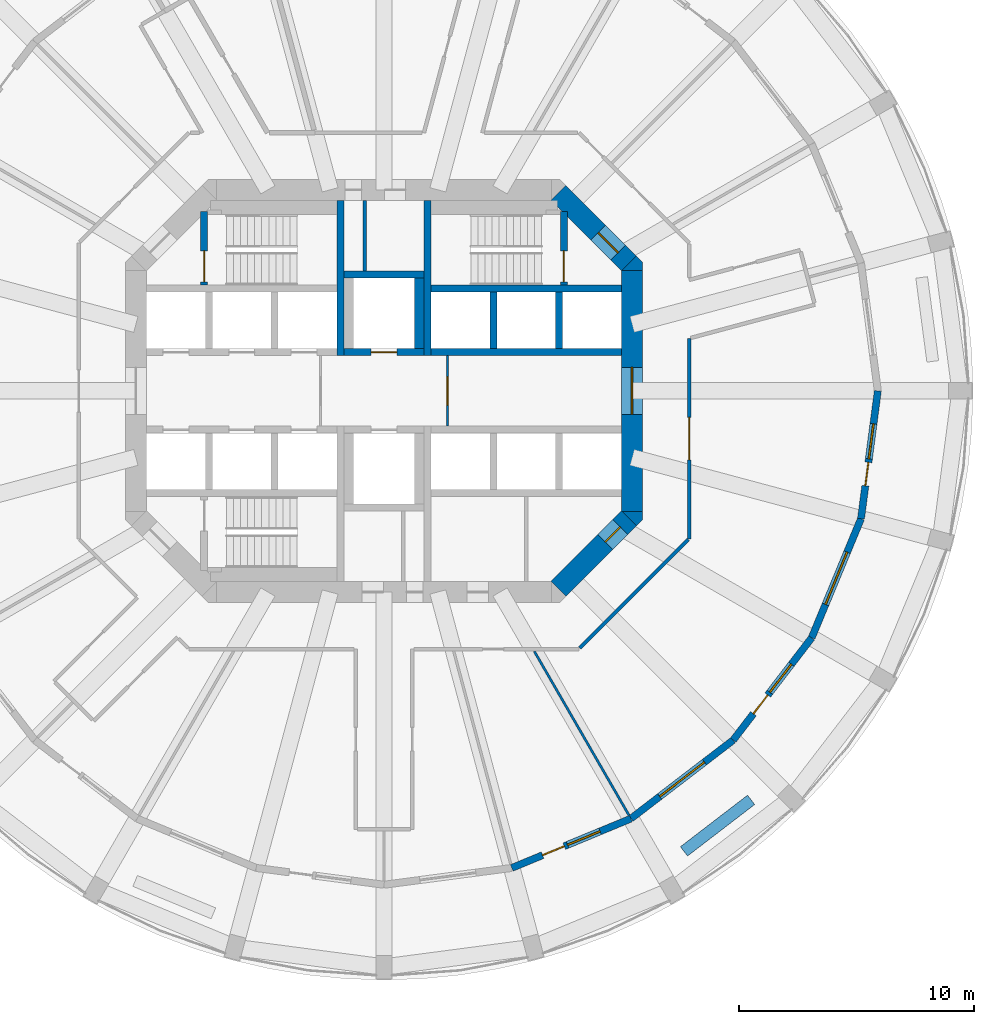
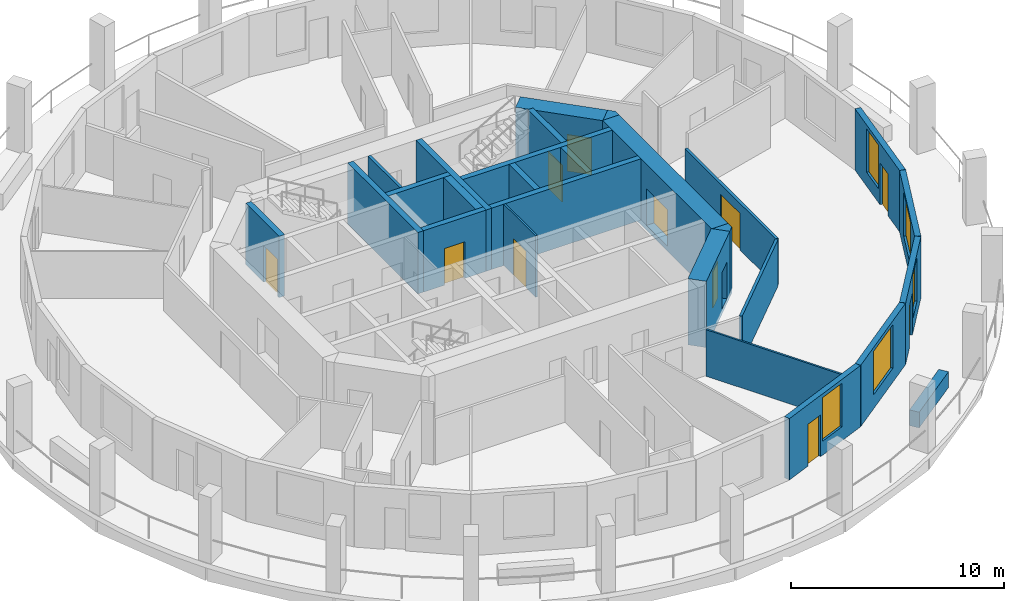
# One storey, part 4 of 8: 27 walls, 11 doors, 5 windows, 16 openings.
"""IFC4 building model written with IfcOpenShell, lengths in metres."""

from ifc_helpers import new_model, si_unit, direction, frame, frame_2d, origin, place, context, subcontext, project, spatial, polyline, rectangle, outline, extrude, material, layer, layer_set, type_object, element, fill, save


model = new_model("IFC4")

# Units and contexts
model_context = context("Model", 3, precision=1e-05, world=origin(), true_north=direction((0.0, 1.0)))
body_context = subcontext(model_context, "Body", "Model", "MODEL_VIEW")
ifc_project = project(units=[si_unit("LENGTHUNIT", "METRE"), si_unit("AREAUNIT", "SQUARE_METRE"), si_unit("VOLUMEUNIT", "CUBIC_METRE"), si_unit("PLANEANGLEUNIT", "RADIAN"), si_unit("MASSUNIT", "GRAM", prefix="KILO")], contexts=[model_context])

# Site, building, storey
site_placement = place(None, origin())
site = spatial("IfcSite", under=ifc_project, at=site_placement, CompositionType="ELEMENT")
building_placement = place(site_placement, origin())
building = spatial("IfcBuilding", under=site, at=building_placement, Name="Torre Triforio", CompositionType="ELEMENT")
storey_placement = place(building_placement, frame((0.0, 0.0, 135.199951171875)))
storey = spatial("IfcBuildingStorey", under=building, at=storey_placement, Name="L30", CompositionType="ELEMENT", Elevation=135.199951171875)

# Walls
ifc_material_1 = material(Name="Concrete C60", Category="concrete")
ifc_layer_1 = layer(ifc_material_1, 0.300048828125)
ifc_layer_set_1 = layer_set([ifc_layer_1], Name="Concrete C60")
wall_type_1 = type_object("IfcWallType", Name="Core wall 300 mm C60 EI 120", PredefinedType="SHEAR", material=ifc_layer_set_1)
for number, where, z_axis, x_axis, name in (
    (1, (-1.85009765625, 1.5, 0.0), (0.0, 0.0, 1.0), (0.0, 1.0, 0.0), "Core wall"),
    (2, (1.85009765625, 1.5, 0.0), (0.0, 0.0, 1.0), (0.0, 1.0, 0.0), "Core wall"),
):
    element("IfcWall", number, at=place(storey_placement, frame(where, z_axis=z_axis, x_axis=x_axis)), inside=storey, type_object=wall_type_1, Name=name, PredefinedType="SHEAR", context=body_context, shape_type="SweptSolid", body=[
        extrude(rectangle(XDim=6.60009765625, YDim=0.300048828125, at=frame_2d((3.300048828125, 0.0))), origin(), (0.0, 0.0, 1.0), 3.52001953125),
    ])

# Wall, opening, door
ifc_layer_2 = layer(ifc_material_1, 0.89990234375)
ifc_layer_set_2 = layer_set([ifc_layer_2], Name="Concrete C60")
wall_type_2 = type_object("IfcWallType", Name="Core wall 900 mm C60 EI 120", PredefinedType="SHEAR", material=ifc_layer_set_2)
wall_1_placement = place(storey_placement, frame((10.550048828125, -5.1298828125, -0.280029296875), z_axis=(0.0, 0.0, 1.0), x_axis=(0.0, 1.0, 0.0)))
wall_1 = element("IfcWall", 3, at=wall_1_placement, inside=storey, type_object=wall_type_2, Name="Core wall", PredefinedType="SHEAR", context=body_context, shape_type="SweptSolid", body=[
    extrude(rectangle(XDim=10.259765625, YDim=0.89990234375, at=frame_2d((5.1298828125, 0.0))), origin(), (0.0, 0.0, 1.0), 3.800048828125),
])
opening_1_placement = place(wall_1_placement, frame((4.1298828125, 0.0, 0.280029296875)))
opening_1 = element("IfcOpeningElement", 4, at=opening_1_placement, cuts=wall_1, Name="Opening E-RING", PredefinedType="OPENING", context=body_context, shape_type="SweptSolid", body=[
    extrude(rectangle(XDim=2.0, YDim=2.10009765625, at=frame_2d((1.0, 1.050048828125))), frame((0.0, 0.4599609375, 0.0), z_axis=(0.0, -1.0, 0.0), x_axis=(1.0, 0.0, 0.0)), (0.0, 0.0, 1.0), 0.919921875),
])
ifc_material_2 = material(Name="Hollow metal fire door leaf")
door_type_1 = type_object("IfcDoorType", Name="Lobby door 2000 x 2100 EI 60", OperationType="DOUBLE_DOOR_SINGLE_SWING", PredefinedType="DOOR", material=ifc_material_2)
door_1_placement = place(opening_1_placement, origin())
door_1 = element("IfcDoor", 5, at=door_1_placement, inside=storey, type_object=door_type_1, Name="Core door E-RING", OperationType="DOUBLE_DOOR_SINGLE_SWING", OverallHeight=2.10009765625, OverallWidth=2.0, PredefinedType="DOOR", context=body_context, shape_type="SweptSolid", body=[
    extrude(rectangle(XDim=2.0, YDim=2.10009765625, at=frame_2d((1.0, 1.050048828125))), frame((0.0, 0.02490234375, 0.0), z_axis=(0.0, -1.0, 0.0), x_axis=(1.0, 0.0, 0.0)), (0.0, 0.0, 1.0), 0.050048828125),
])
fill(opening_1, door_1)

wall_2_placement = place(storey_placement, frame((7.418212890625, 8.418212890625, -0.280029296875), z_axis=(0.0, 0.0, 1.0), x_axis=(0.707106781187, -0.707106781187, 0.0)))
wall_2 = element("IfcWall", 6, at=wall_2_placement, inside=storey, type_object=wall_type_2, Name="Core wall", PredefinedType="SHEAR", context=body_context, shape_type="SweptSolid", body=[
    extrude(rectangle(XDim=4.24267578125, YDim=0.89990234375, at=frame_2d((2.121337890625, 0.0))), origin(), (0.0, 0.0, 1.0), 3.800048828125),
])
opening_2_placement = place(wall_2_placement, frame((2.392578125, 0.0, 0.280029296875)))
opening_2 = element("IfcOpeningElement", 7, at=opening_2_placement, cuts=wall_2, Name="Opening ST2-EXIT", PredefinedType="OPENING", context=body_context, shape_type="SweptSolid", body=[
    extrude(rectangle(XDim=1.199951171875, YDim=2.10009765625, at=frame_2d((0.60009765625, 1.050048828125))), frame((0.0, 0.4599609375, 0.0), z_axis=(0.0, -1.0, 0.0), x_axis=(1.0, 0.0, 0.0)), (0.0, 0.0, 1.0), 0.919921875),
])
door_type_2 = type_object("IfcDoorType", Name="Stair lobby door 1200 x 2100 EI 60", OperationType="NOTDEFINED", PredefinedType="DOOR", material=ifc_material_2)
door_2_placement = place(opening_2_placement, origin())
door_2 = element("IfcDoor", 8, at=door_2_placement, inside=storey, type_object=door_type_2, Name="Core door ST2-EXIT", OperationType="SINGLE_SWING_RIGHT", OverallHeight=2.10009765625, OverallWidth=1.199951171875, PredefinedType="DOOR", context=body_context, shape_type="SweptSolid", body=[
    extrude(rectangle(XDim=1.199951171875, YDim=2.10009765625, at=frame_2d((0.60009765625, 1.050048828125))), frame((0.0, 0.02490234375, 0.0), z_axis=(0.0, -1.0, 0.0), x_axis=(1.0, 0.0, 0.0)), (0.0, 0.0, 1.0), 0.050048828125),
])
fill(opening_2, door_2)

wall_3_placement = place(storey_placement, frame((10.418212890625, -5.418212890625, -0.280029296875), z_axis=(0.0, 0.0, 1.0), x_axis=(-0.707106781187, -0.707106781187, 0.0)))
wall_3 = element("IfcWall", 9, at=wall_3_placement, inside=storey, type_object=wall_type_2, Name="Core wall", PredefinedType="SHEAR", context=body_context, shape_type="SweptSolid", body=[
    extrude(rectangle(XDim=4.24267578125, YDim=0.89990234375, at=frame_2d((2.121337890625, 0.0))), origin(), (0.0, 0.0, 1.0), 3.800048828125),
])
opening_3_placement = place(wall_3_placement, frame((0.52001953125, 0.0, 0.280029296875)))
opening_3 = element("IfcOpeningElement", 10, at=opening_3_placement, cuts=wall_3, Name="Opening SE-02", PredefinedType="OPENING", context=body_context, shape_type="SweptSolid", body=[
    extrude(rectangle(XDim=0.89990234375, YDim=2.10009765625, at=frame_2d((0.449951171875, 1.050048828125))), frame((0.0, 0.4599609375, 0.0), z_axis=(0.0, -1.0, 0.0), x_axis=(1.0, 0.0, 0.0)), (0.0, 0.0, 1.0), 0.919921875),
])
door_type_3 = type_object("IfcDoorType", Name="Room door 900 x 2100 EI 60", OperationType="NOTDEFINED", PredefinedType="DOOR", material=ifc_material_2)
door_3_placement = place(opening_3_placement, origin())
door_3 = element("IfcDoor", 11, at=door_3_placement, inside=storey, type_object=door_type_3, Name="Core door SE-02", OperationType="SINGLE_SWING_RIGHT", OverallHeight=2.10009765625, OverallWidth=0.89990234375, PredefinedType="DOOR", context=body_context, shape_type="SweptSolid", body=[
    extrude(rectangle(XDim=0.89990234375, YDim=2.10009765625, at=frame_2d((0.449951171875, 1.050048828125))), frame((0.0, 0.02490234375, 0.0), z_axis=(0.0, -1.0, 0.0), x_axis=(1.0, 0.0, 0.0)), (0.0, 0.0, 1.0), 0.050048828125),
])
fill(opening_3, door_3)

# Walls
wall_4_placement = place(storey_placement, frame((0.0, 0.0, -0.280029296875)))
element("IfcWall", 12, at=wall_4_placement, inside=storey, type_object=wall_type_2, Name="Core wall", PredefinedType="SHEAR", context=body_context, shape_type="SweptSolid", body=[
    extrude(outline(polyline([(11.0, -5.472900390625), (10.736328125, -5.736328125), (10.1298828125, -5.1298828125), (11.0, -5.1298828125), (11.0, -5.472900390625)])), origin(), (0.0, 0.0, 1.0), 3.800048828125),
])
wall_5_placement = place(storey_placement, frame((0.0, 0.0, -0.280029296875)))
element("IfcWall", 13, at=wall_5_placement, inside=storey, type_object=wall_type_2, Name="Core wall", PredefinedType="SHEAR", context=body_context, shape_type="SweptSolid", body=[
    extrude(outline(polyline([(11.0, 5.472900390625), (11.0, 5.1298828125), (10.1298828125, 5.1298828125), (10.736328125, 5.736328125), (11.0, 5.472900390625)])), origin(), (0.0, 0.0, 1.0), 3.800048828125),
])

# Wall, opening, door
ifc_material_3 = material(Name="Plasterboard on metal studs")
ifc_layer_3 = layer(ifc_material_3, 0.14990234375)
ifc_layer_set_3 = layer_set([ifc_layer_3], Name="Plasterboard on metal studs")
wall_type_3 = type_object("IfcWallType", Name="Corridor and tenancy wall 150 mm EI 60", PredefinedType="PARTITIONING", material=ifc_layer_set_3)
wall_6_placement = place(storey_placement, frame((12.97509765625, 2.234375, 0.0), z_axis=(0.0, 0.0, 1.0), x_axis=(0.0, -1.0, 0.0)))
wall_6 = element("IfcWall", 14, at=wall_6_placement, inside=storey, type_object=wall_type_3, Name="Partition 22", PredefinedType="PARTITIONING", context=body_context, shape_type="SweptSolid", body=[
    extrude(rectangle(XDim=8.525390625, YDim=0.14990234375, at=frame_2d((4.2626953125, 0.0))), origin(), (0.0, 0.0, 1.0), 2.670166015625),
])
opening_4_placement = place(wall_6_placement, frame((3.362548828125, 0.0, 0.0)))
opening_4 = element("IfcOpeningElement", 15, at=opening_4_placement, cuts=wall_6, Name="Opening D2-07", PredefinedType="OPENING", context=body_context, shape_type="SweptSolid", body=[
    extrude(rectangle(XDim=1.800048828125, YDim=2.10009765625, at=frame_2d((0.89990234375, 1.050048828125))), frame((0.0, 0.0849609375, 0.0), z_axis=(0.0, -1.0, 0.0), x_axis=(1.0, 0.0, 0.0)), (0.0, 0.0, 1.0), 0.169921875),
])
ifc_material_4 = material(Name="Timber", Category="wood")
door_type_4 = type_object("IfcDoorType", Name="Door 1800 x 2100 double leaf EI 30", OperationType="DOUBLE_DOOR_SINGLE_SWING", PredefinedType="DOOR", material=ifc_material_4)
door_4_placement = place(opening_4_placement, origin())
door_4 = element("IfcDoor", 16, at=door_4_placement, inside=storey, type_object=door_type_4, Name="Door D2-07", OperationType="DOUBLE_DOOR_SINGLE_SWING", OverallHeight=2.10009765625, OverallWidth=1.800048828125, PredefinedType="DOOR", context=body_context, shape_type="SweptSolid", body=[
    extrude(rectangle(XDim=1.800048828125, YDim=2.10009765625, at=frame_2d((0.89990234375, 1.050048828125))), frame((0.0, 0.02490234375, 0.0), z_axis=(0.0, -1.0, 0.0), x_axis=(1.0, 0.0, 0.0)), (0.0, 0.0, 1.0), 0.050048828125),
])
fill(opening_4, door_4)

# Wall
wall_7_placement = place(storey_placement, frame((12.93798828125, -6.327880859375, 0.0), z_axis=(0.0, 0.0, 1.0), x_axis=(-0.707106781187, -0.707106781187, 0.0)))
element("IfcWall", 17, at=wall_7_placement, inside=storey, type_object=wall_type_3, Name="Partition 23", PredefinedType="PARTITIONING", context=body_context, shape_type="SweptSolid", body=[
    extrude(rectangle(XDim=6.519775390625, YDim=0.14990234375, at=frame_2d((3.259765625, 0.0))), origin(), (0.0, 0.0, 1.0), 2.670166015625),
])

# Wall, opening, door
ifc_material_5 = material(Name="Block and board partition")
ifc_layer_4 = layer(ifc_material_5, 0.10009765625)
ifc_layer_set_4 = layer_set([ifc_layer_4], Name="Block and board partition")
wall_type_4 = type_object("IfcWallType", Name="Partition 100 mm EI 120", PredefinedType="PARTITIONING", material=ifc_layer_set_4)
wall_8_placement = place(storey_placement, frame((2.699951171875, -1.5, 0.0), z_axis=(0.0, 0.0, 1.0), x_axis=(0.0, 1.0, 0.0)))
wall_8 = element("IfcWall", 18, at=wall_8_placement, inside=storey, type_object=wall_type_4, Name="Partition", PredefinedType="PARTITIONING", context=body_context, shape_type="SweptSolid", body=[
    extrude(rectangle(XDim=3.0, YDim=0.10009765625, at=frame_2d((1.5, 0.0))), origin(), (0.0, 0.0, 1.0), 3.52001953125),
])
opening_5_placement = place(wall_8_placement, frame((0.89990234375, 0.0, 0.0)))
opening_5 = element("IfcOpeningElement", 19, at=opening_5_placement, cuts=wall_8, Name="Opening FF-E", PredefinedType="OPENING", context=body_context, shape_type="SweptSolid", body=[
    extrude(rectangle(XDim=1.199951171875, YDim=2.10009765625, at=frame_2d((0.60009765625, 1.050048828125))), frame((0.0, 0.06005859375, 0.0), z_axis=(0.0, -1.0, 0.0), x_axis=(1.0, 0.0, 0.0)), (0.0, 0.0, 1.0), 0.1201171875),
])
door_type_5 = type_object("IfcDoorType", Name="Fire-fighting lobby door 1200 x 2100 EI 60", OperationType="NOTDEFINED", PredefinedType="DOOR", material=ifc_material_2)
door_5_placement = place(opening_5_placement, origin())
door_5 = element("IfcDoor", 20, at=door_5_placement, inside=storey, type_object=door_type_5, Name="Core door FF-E", OperationType="SINGLE_SWING_RIGHT", OverallHeight=2.10009765625, OverallWidth=1.199951171875, PredefinedType="DOOR", context=body_context, shape_type="SweptSolid", body=[
    extrude(rectangle(XDim=1.199951171875, YDim=2.10009765625, at=frame_2d((0.60009765625, 1.050048828125))), frame((0.0, 0.02490234375, 0.0), z_axis=(0.0, -1.0, 0.0), x_axis=(1.0, 0.0, 0.0)), (0.0, 0.0, 1.0), 0.050048828125),
])
fill(opening_5, door_5)

# Walls
ifc_layer_5 = layer(ifc_material_3, 0.10009765625)
ifc_layer_set_5 = layer_set([ifc_layer_5], Name="Plasterboard on metal studs")
wall_type_5 = type_object("IfcWallType", Name="Partition 100 mm board on metal studs", PredefinedType="PARTITIONING", material=ifc_layer_set_5)
wall_9_placement = place(storey_placement, frame((6.393798828125, -11.07470703125, 0.0), z_axis=(0.0, 0.0, 1.0), x_axis=(0.500024397361, -0.866011317503, 0.0)))
element("IfcWall", 21, at=wall_9_placement, inside=storey, type_object=wall_type_5, Name="Partition 45", PredefinedType="PARTITIONING", context=body_context, shape_type="SweptSolid", body=[
    extrude(rectangle(XDim=8.048828125, YDim=0.10009765625, at=frame_2d((4.0244140625, 0.0))), origin(), (0.0, 0.0, 1.0), 2.670166015625),
])
ifc_layer_6 = layer(ifc_material_5, 0.14990234375)
ifc_layer_set_6 = layer_set([ifc_layer_6], Name="Block and board partition")
wall_type_6 = type_object("IfcWallType", Name="Partition 150 mm EI 120", PredefinedType="PARTITIONING", material=ifc_layer_set_6)
wall_10_placement = place(storey_placement, frame((-0.824951171875, 5.10009765625, 0.0), z_axis=(0.0, 0.0, 1.0), x_axis=(0.0, 1.0, 0.0)))
element("IfcWall", 22, at=wall_10_placement, inside=storey, type_object=wall_type_6, Name="Partition", PredefinedType="PARTITIONING", context=body_context, shape_type="SweptSolid", body=[
    extrude(rectangle(XDim=3.0, YDim=0.14990234375, at=frame_2d((1.5, 0.0))), origin(), (0.0, 0.0, 1.0), 3.52001953125),
])
ifc_material_6 = material(Name="Limestone cladding", Category="masonry")
ifc_layer_7 = layer(ifc_material_6, 0.10009765625)
ifc_material_7 = material(Name="Concrete C40", Category="concrete")
ifc_layer_8 = layer(ifc_material_7, 0.39990234375)
ifc_layer_set_7 = layer_set([ifc_layer_7, ifc_layer_8], Name="Limestone cladding / Concrete C40")
wall_type_7 = type_object("IfcWallType", Name="Planter wall 500", PredefinedType="PARAPET", material=ifc_layer_set_7)
wall_11_placement = place(storey_placement, frame((12.756103515625, -19.580810546875, 0.0), z_axis=(0.0, 0.0, 1.0), x_axis=(0.793384730612, 0.608720518162, 0.0)))
element("IfcWall", 23, at=wall_11_placement, inside=storey, type_object=wall_type_7, Name="Planter L30 bay 21", PredefinedType="PARAPET", context=body_context, shape_type="SweptSolid", body=[
    extrude(rectangle(XDim=3.60009765625, YDim=0.5, at=frame_2d((1.800048828125, 0.0))), origin(), (0.0, 0.0, 1.0), 0.900146484375),
])
ifc_layer_9 = layer(ifc_material_1, 0.300048828125)
ifc_layer_set_8 = layer_set([ifc_layer_9], Name="Concrete C60")
wall_type_8 = type_object("IfcWallType", Name="Shaft wall 300 mm C60 EI 120", PredefinedType="SOLIDWALL", material=ifc_layer_set_8)
for number, where, z_axis, x_axis, name in (
    (24, (2.0, 4.35009765625, 0.0), (0.0, 0.0, 1.0), (1.0, 0.0, 0.0), "Shaft wall"),
    (25, (2.0, 1.64990234375, 0.0), (0.0, 0.0, 1.0), (1.0, 0.0, 0.0), "Shaft wall"),
):
    element("IfcWall", number, at=place(storey_placement, frame(where, z_axis=z_axis, x_axis=x_axis)), inside=storey, type_object=wall_type_8, Name=name, PredefinedType="SOLIDWALL", context=body_context, shape_type="SweptSolid", body=[
        extrude(rectangle(XDim=8.10009765625, YDim=0.300048828125, at=frame_2d((4.050048828125, 0.0))), origin(), (0.0, 0.0, 1.0), 3.52001953125),
    ])
for number, where, z_axis, x_axis, name in (
    (26, (4.64990234375, 1.800048828125, 0.0), (0.0, 0.0, 1.0), (0.0, 1.0, 0.0), "Shaft wall"),
    (27, (7.449951171875, 1.800048828125, 0.0), (0.0, 0.0, 1.0), (0.0, 1.0, 0.0), "Shaft wall"),
):
    element("IfcWall", number, at=place(storey_placement, frame(where, z_axis=z_axis, x_axis=x_axis)), inside=storey, type_object=wall_type_8, Name=name, PredefinedType="SOLIDWALL", context=body_context, shape_type="SweptSolid", body=[
        extrude(rectangle(XDim=2.39990234375, YDim=0.300048828125, at=frame_2d((1.199951171875, 0.0))), origin(), (0.0, 0.0, 1.0), 3.52001953125),
    ])

# Wall, opening, door
wall_12_placement = place(storey_placement, frame((-1.699951171875, 1.64990234375, 0.0), z_axis=(0.0, 0.0, 1.0), x_axis=(1.0, 0.0, 0.0)))
wall_12 = element("IfcWall", 28, at=wall_12_placement, inside=storey, type_object=wall_type_8, Name="Shaft wall", PredefinedType="SOLIDWALL", context=body_context, shape_type="SweptSolid", body=[
    extrude(rectangle(XDim=3.39990234375, YDim=0.300048828125, at=frame_2d((1.699951171875, 0.0))), origin(), (0.0, 0.0, 1.0), 3.52001953125),
])
opening_6_placement = place(wall_12_placement, frame((1.14990234375, 0.0, 0.0)))
opening_6 = element("IfcOpeningElement", 29, at=opening_6_placement, cuts=wall_12, Name="Opening LD", PredefinedType="OPENING", context=body_context, shape_type="SweptSolid", body=[
    extrude(rectangle(XDim=1.10009765625, YDim=2.10009765625, at=frame_2d((0.550048828125, 1.050048828125))), frame((0.0, 0.159912109375, 0.0), z_axis=(0.0, -1.0, 0.0), x_axis=(1.0, 0.0, 0.0)), (0.0, 0.0, 1.0), 0.320068359375),
])
door_type_6 = type_object("IfcDoorType", Name="Landing door 1100 x 2100 EI 60", OperationType="DOUBLE_DOOR_SLIDING", PredefinedType="DOOR", material=ifc_material_2)
door_6_placement = place(opening_6_placement, origin())
door_6 = element("IfcDoor", 30, at=door_6_placement, inside=storey, type_object=door_type_6, Name="Landing door FFL1", OperationType="DOUBLE_DOOR_SLIDING", OverallHeight=2.10009765625, OverallWidth=1.10009765625, PredefinedType="DOOR", context=body_context, shape_type="SweptSolid", body=[
    extrude(rectangle(XDim=1.10009765625, YDim=2.10009765625, at=frame_2d((0.550048828125, 1.050048828125))), frame((0.0, 0.02490234375, 0.0), z_axis=(0.0, -1.0, 0.0), x_axis=(1.0, 0.0, 0.0)), (0.0, 0.0, 1.0), 0.050048828125),
])
fill(opening_6, door_6)

# Walls
wall_13_placement = place(storey_placement, frame((-1.699951171875, 4.949951171875, 0.0), z_axis=(0.0, 0.0, 1.0), x_axis=(1.0, 0.0, 0.0)))
element("IfcWall", 31, at=wall_13_placement, inside=storey, type_object=wall_type_8, Name="Shaft wall", PredefinedType="SOLIDWALL", context=body_context, shape_type="SweptSolid", body=[
    extrude(rectangle(XDim=3.39990234375, YDim=0.300048828125, at=frame_2d((1.699951171875, 0.0))), origin(), (0.0, 0.0, 1.0), 3.52001953125),
])
ifc_layer_10 = layer(ifc_material_1, 0.39990234375)
ifc_layer_set_9 = layer_set([ifc_layer_10], Name="Concrete C60")
wall_type_9 = type_object("IfcWallType", Name="Shaft wall 400 mm C60 EI 120", PredefinedType="SOLIDWALL", material=ifc_layer_set_9)
wall_14_placement = place(storey_placement, frame((1.5, 1.800048828125, 0.0), z_axis=(0.0, 0.0, 1.0), x_axis=(0.0, 1.0, 0.0)))
element("IfcWall", 32, at=wall_14_placement, inside=storey, type_object=wall_type_9, Name="Shaft wall", PredefinedType="SOLIDWALL", context=body_context, shape_type="SweptSolid", body=[
    extrude(rectangle(XDim=3.0, YDim=0.39990234375, at=frame_2d((1.5, 0.0))), origin(), (0.0, 0.0, 1.0), 3.52001953125),
])

# Wall, opening, door
ifc_layer_11 = layer(ifc_material_1, 0.300048828125)
ifc_layer_set_10 = layer_set([ifc_layer_11], Name="Concrete C60")
wall_type_10 = type_object("IfcWallType", Name="Stair wall 300 mm C60 EI 120", PredefinedType="SHEAR", material=ifc_layer_set_10)
wall_15_placement = place(storey_placement, frame((-7.64990234375, 4.5, 0.0), z_axis=(0.0, 0.0, 1.0), x_axis=(0.0, 1.0, 0.0)))
wall_15 = element("IfcWall", 33, at=wall_15_placement, inside=storey, type_object=wall_type_10, Name="Stair wall", PredefinedType="SHEAR", context=body_context, shape_type="SweptSolid", body=[
    extrude(rectangle(XDim=3.139892578125, YDim=0.300048828125, at=frame_2d((1.56982421875, 0.0))), origin(), (0.0, 0.0, 1.0), 3.52001953125),
])
opening_7_placement = place(wall_15_placement, frame((0.139892578125, 0.0, 0.0)))
opening_7 = element("IfcOpeningElement", 34, at=opening_7_placement, cuts=wall_15, Name="Opening ST1-STA", PredefinedType="OPENING", context=body_context, shape_type="SweptSolid", body=[
    extrude(rectangle(XDim=1.320068359375, YDim=2.10009765625, at=frame_2d((0.66015625, 1.050048828125))), frame((0.0, 0.159912109375, 0.0), z_axis=(0.0, -1.0, 0.0), x_axis=(1.0, 0.0, 0.0)), (0.0, 0.0, 1.0), 0.320068359375),
])
door_type_7 = type_object("IfcDoorType", Name="Stair door 1320 x 2100 EI 90", OperationType="DOUBLE_DOOR_SINGLE_SWING", PredefinedType="DOOR", material=ifc_material_2)
door_7_placement = place(opening_7_placement, origin())
door_7 = element("IfcDoor", 35, at=door_7_placement, inside=storey, type_object=door_type_7, Name="Core door ST1-ST", OperationType="DOUBLE_DOOR_SINGLE_SWING", OverallHeight=2.10009765625, OverallWidth=1.320068359375, PredefinedType="DOOR", context=body_context, shape_type="SweptSolid", body=[
    extrude(rectangle(XDim=1.320068359375, YDim=2.10009765625, at=frame_2d((0.66015625, 1.050048828125))), frame((0.0, 0.02490234375, 0.0), z_axis=(0.0, -1.0, 0.0), x_axis=(1.0, 0.0, 0.0)), (0.0, 0.0, 1.0), 0.050048828125),
])
fill(opening_7, door_7)

wall_16_placement = place(storey_placement, frame((7.64990234375, 4.5, 0.0), z_axis=(0.0, 0.0, 1.0), x_axis=(0.0, 1.0, 0.0)))
wall_16 = element("IfcWall", 36, at=wall_16_placement, inside=storey, type_object=wall_type_10, Name="Stair wall", PredefinedType="SHEAR", context=body_context, shape_type="SweptSolid", body=[
    extrude(rectangle(XDim=3.139892578125, YDim=0.300048828125, at=frame_2d((1.56982421875, 0.0))), origin(), (0.0, 0.0, 1.0), 3.52001953125),
])
opening_8_placement = place(wall_16_placement, frame((0.139892578125, 0.0, 0.0)))
opening_8 = element("IfcOpeningElement", 37, at=opening_8_placement, cuts=wall_16, Name="Opening ST2-STA", PredefinedType="OPENING", context=body_context, shape_type="SweptSolid", body=[
    extrude(rectangle(XDim=1.320068359375, YDim=2.10009765625, at=frame_2d((0.66015625, 1.050048828125))), frame((0.0, 0.159912109375, 0.0), z_axis=(0.0, -1.0, 0.0), x_axis=(1.0, 0.0, 0.0)), (0.0, 0.0, 1.0), 0.320068359375),
])
door_8_placement = place(opening_8_placement, origin())
door_8 = element("IfcDoor", 38, at=door_8_placement, inside=storey, type_object=door_type_7, Name="Core door ST2-ST", OperationType="DOUBLE_DOOR_SINGLE_SWING", OverallHeight=2.10009765625, OverallWidth=1.320068359375, PredefinedType="DOOR", context=body_context, shape_type="SweptSolid", body=[
    extrude(rectangle(XDim=1.320068359375, YDim=2.10009765625, at=frame_2d((0.66015625, 1.050048828125))), frame((0.0, 0.02490234375, 0.0), z_axis=(0.0, -1.0, 0.0), x_axis=(1.0, 0.0, 0.0)), (0.0, 0.0, 1.0), 0.050048828125),
])
fill(opening_8, door_8)

# Wall, openings, door, window
ifc_layer_12 = layer(ifc_material_6, 0.10009765625)
ifc_layer_13 = layer(ifc_material_7, 0.199951171875)
ifc_layer_set_11 = layer_set([ifc_layer_12, ifc_layer_13], Name="Limestone cladding / Concrete C40")
wall_type_11 = type_object("IfcWallType", Name="Stone-faced composite wall 300", PredefinedType="STANDARD", material=ifc_layer_set_11)
wall_17_placement = place(storey_placement, frame((5.435302734375, -20.284423828125, 0.0), z_axis=(0.0, 0.0, 1.0), x_axis=(0.923877333662, 0.382688740813, 0.0)))
wall_17 = element("IfcWall", 39, at=wall_17_placement, inside=storey, type_object=wall_type_11, Name="External wall L30 bay 20", PredefinedType="STANDARD", context=body_context, shape_type="SweptSolid", body=[
    extrude(rectangle(XDim=5.48193359375, YDim=0.300048828125, at=frame_2d((2.740966796875, 0.0))), origin(), (0.0, 0.0, 1.0), 3.52001953125),
])
opening_9_placement = place(wall_17_placement, frame((1.416015625, 0.0, 0.0)))
opening_9 = element("IfcOpeningElement", 40, at=opening_9_placement, cuts=wall_17, Name="Opening D2-D20", PredefinedType="OPENING", context=body_context, shape_type="SweptSolid", body=[
    extrude(rectangle(XDim=1.0, YDim=2.39990234375, at=frame_2d((0.5, 1.199951171875))), frame((0.0, 0.159912109375, 0.0), z_axis=(0.0, -1.0, 0.0), x_axis=(1.0, 0.0, 0.0)), (0.0, 0.0, 1.0), 0.320068359375),
])
opening_10_placement = place(wall_17_placement, frame((2.566162109375, 0.0, 0.800048828125)))
opening_10 = element("IfcOpeningElement", 41, at=opening_10_placement, cuts=wall_17, Name="Opening D2-W20A", PredefinedType="OPENING", context=body_context, shape_type="SweptSolid", body=[
    extrude(rectangle(XDim=1.5, YDim=2.5, at=frame_2d((0.75, 1.25))), frame((0.0, 0.159912109375, 0.0), z_axis=(0.0, -1.0, 0.0), x_axis=(1.0, 0.0, 0.0)), (0.0, 0.0, 1.0), 0.320068359375),
])
ifc_material_8 = material(Name="Aluminium frame with clear double glazing", Category="aluminium")
door_type_8 = type_object("IfcDoorType", Name="Loggia door 1000 x 2400", OperationType="NOTDEFINED", PredefinedType="DOOR", material=ifc_material_8)
door_9_placement = place(opening_9_placement, origin())
door_9 = element("IfcDoor", 42, at=door_9_placement, inside=storey, type_object=door_type_8, Name="Loggia door L30 bay 20", OperationType="SINGLE_SWING_LEFT", OverallHeight=2.39990234375, OverallWidth=1.0, PredefinedType="DOOR", context=body_context, shape_type="SweptSolid", body=[
    extrude(rectangle(XDim=1.0, YDim=2.39990234375, at=frame_2d((0.5, 1.199951171875))), frame((0.0, 0.02490234375, 0.0), z_axis=(0.0, -1.0, 0.0), x_axis=(1.0, 0.0, 0.0)), (0.0, 0.0, 1.0), 0.050048828125),
])
fill(opening_9, door_9)
window_type_1 = type_object("IfcWindowType", Name="Side window 1500 x 2500", PartitioningType="SINGLE_PANEL", PredefinedType="WINDOW", material=ifc_material_8)
window_1_placement = place(opening_10_placement, origin())
window_1 = element("IfcWindow", 43, at=window_1_placement, inside=storey, type_object=window_type_1, Name="Side window EWN13 L30 bay 20", OverallHeight=2.5, OverallWidth=1.5, PartitioningType="SINGLE_PANEL", PredefinedType="WINDOW", context=body_context, shape_type="SweptSolid", body=[
    extrude(rectangle(XDim=1.5, YDim=2.5, at=frame_2d((0.75, 1.25))), frame((0.0, 0.030029296875, 0.0), z_axis=(0.0, -1.0, 0.0), x_axis=(1.0, 0.0, 0.0)), (0.0, 0.0, 1.0), 0.06005859375),
])
fill(opening_10, window_1)

# Wall, opening, window
wall_18_placement = place(storey_placement, frame((10.5, -18.1865234375, 0.0), z_axis=(0.0, 0.0, 1.0), x_axis=(0.793335336593, 0.608784891166, 0.0)))
wall_18 = element("IfcWall", 44, at=wall_18_placement, inside=storey, type_object=wall_type_11, Name="External wall L30 bay 21", PredefinedType="STANDARD", context=body_context, shape_type="SweptSolid", body=[
    extrude(rectangle(XDim=5.482177734375, YDim=0.300048828125, at=frame_2d((2.7412109375, 0.0))), origin(), (0.0, 0.0, 1.0), 3.52001953125),
])
opening_11_placement = place(wall_18_placement, frame((1.541015625, 0.0, 0.800048828125)))
opening_11 = element("IfcOpeningElement", 45, at=opening_11_placement, cuts=wall_18, Name="Opening D2-W21", PredefinedType="OPENING", context=body_context, shape_type="SweptSolid", body=[
    extrude(rectangle(XDim=2.39990234375, YDim=2.5, at=frame_2d((1.199951171875, 1.25))), frame((0.0, 0.159912109375, 0.0), z_axis=(0.0, -1.0, 0.0), x_axis=(1.0, 0.0, 0.0)), (0.0, 0.0, 1.0), 0.320068359375),
])
window_type_2 = type_object("IfcWindowType", Name="Punched window 2400 x 2500", PartitioningType="DOUBLE_PANEL_VERTICAL", PredefinedType="WINDOW", material=ifc_material_8)
window_2_placement = place(opening_11_placement, origin())
window_2 = element("IfcWindow", 46, at=window_2_placement, inside=storey, type_object=window_type_2, Name="Window EWN3 L30 bay 21", OverallHeight=2.5, OverallWidth=2.39990234375, PartitioningType="SINGLE_PANEL", PredefinedType="WINDOW", context=body_context, shape_type="SweptSolid", body=[
    extrude(rectangle(XDim=2.39990234375, YDim=2.5, at=frame_2d((1.199951171875, 1.25))), frame((0.0, 0.030029296875, 0.0), z_axis=(0.0, -1.0, 0.0), x_axis=(1.0, 0.0, 0.0)), (0.0, 0.0, 1.0), 0.06005859375),
])
fill(opening_11, window_2)

# Wall, openings, door, window
wall_19_placement = place(storey_placement, frame((14.84912109375, -14.84912109375, 0.0), z_axis=(0.0, 0.0, 1.0), x_axis=(0.608784891166, 0.793335336593, 0.0)))
wall_19 = element("IfcWall", 47, at=wall_19_placement, inside=storey, type_object=wall_type_11, Name="External wall L30 bay 22", PredefinedType="STANDARD", context=body_context, shape_type="SweptSolid", body=[
    extrude(rectangle(XDim=5.482177734375, YDim=0.300048828125, at=frame_2d((2.7412109375, 0.0))), origin(), (0.0, 0.0, 1.0), 3.52001953125),
])
opening_12_placement = place(wall_19_placement, frame((1.416015625, 0.0, 0.0)))
opening_12 = element("IfcOpeningElement", 48, at=opening_12_placement, cuts=wall_19, Name="Opening D2-D22", PredefinedType="OPENING", context=body_context, shape_type="SweptSolid", body=[
    extrude(rectangle(XDim=1.0, YDim=2.39990234375, at=frame_2d((0.5, 1.199951171875))), frame((0.0, 0.159912109375, 0.0), z_axis=(0.0, -1.0, 0.0), x_axis=(1.0, 0.0, 0.0)), (0.0, 0.0, 1.0), 0.320068359375),
])
opening_13_placement = place(wall_19_placement, frame((2.56591796875, 0.0, 0.800048828125)))
opening_13 = element("IfcOpeningElement", 49, at=opening_13_placement, cuts=wall_19, Name="Opening D2-W22A", PredefinedType="OPENING", context=body_context, shape_type="SweptSolid", body=[
    extrude(rectangle(XDim=1.5, YDim=2.5, at=frame_2d((0.75, 1.25))), frame((0.0, 0.159912109375, 0.0), z_axis=(0.0, -1.0, 0.0), x_axis=(1.0, 0.0, 0.0)), (0.0, 0.0, 1.0), 0.320068359375),
])
door_10_placement = place(opening_12_placement, origin())
door_10 = element("IfcDoor", 50, at=door_10_placement, inside=storey, type_object=door_type_8, Name="Loggia door L30 bay 22", OperationType="SINGLE_SWING_LEFT", OverallHeight=2.39990234375, OverallWidth=1.0, PredefinedType="DOOR", context=body_context, shape_type="SweptSolid", body=[
    extrude(rectangle(XDim=1.0, YDim=2.39990234375, at=frame_2d((0.5, 1.199951171875))), frame((0.0, 0.02490234375, 0.0), z_axis=(0.0, -1.0, 0.0), x_axis=(1.0, 0.0, 0.0)), (0.0, 0.0, 1.0), 0.050048828125),
])
fill(opening_12, door_10)
window_3_placement = place(opening_13_placement, origin())
window_3 = element("IfcWindow", 51, at=window_3_placement, inside=storey, type_object=window_type_1, Name="Side window EWN13 L30 bay 22", OverallHeight=2.5, OverallWidth=1.5, PartitioningType="SINGLE_PANEL", PredefinedType="WINDOW", context=body_context, shape_type="SweptSolid", body=[
    extrude(rectangle(XDim=1.5, YDim=2.5, at=frame_2d((0.75, 1.25))), frame((0.0, 0.030029296875, 0.0), z_axis=(0.0, -1.0, 0.0), x_axis=(1.0, 0.0, 0.0)), (0.0, 0.0, 1.0), 0.06005859375),
])
fill(opening_13, window_3)

# Wall, opening, window
wall_20_placement = place(storey_placement, frame((18.1865234375, -10.5, 0.0), z_axis=(0.0, 0.0, 1.0), x_axis=(0.382688740813, 0.923877333662, 0.0)))
wall_20 = element("IfcWall", 52, at=wall_20_placement, inside=storey, type_object=wall_type_11, Name="External wall L30 bay 23", PredefinedType="STANDARD", context=body_context, shape_type="SweptSolid", body=[
    extrude(rectangle(XDim=5.48193359375, YDim=0.300048828125, at=frame_2d((2.740966796875, 0.0))), origin(), (0.0, 0.0, 1.0), 3.52001953125),
])
opening_14_placement = place(wall_20_placement, frame((1.541015625, 0.0, 0.800048828125)))
opening_14 = element("IfcOpeningElement", 53, at=opening_14_placement, cuts=wall_20, Name="Opening D2-W23", PredefinedType="OPENING", context=body_context, shape_type="SweptSolid", body=[
    extrude(rectangle(XDim=2.39990234375, YDim=2.5, at=frame_2d((1.199951171875, 1.25))), frame((0.0, 0.159912109375, 0.0), z_axis=(0.0, -1.0, 0.0), x_axis=(1.0, 0.0, 0.0)), (0.0, 0.0, 1.0), 0.320068359375),
])
window_4_placement = place(opening_14_placement, origin())
window_4 = element("IfcWindow", 54, at=window_4_placement, inside=storey, type_object=window_type_2, Name="Window EWN3 L30 bay 23", OverallHeight=2.5, OverallWidth=2.39990234375, PartitioningType="SINGLE_PANEL", PredefinedType="WINDOW", context=body_context, shape_type="SweptSolid", body=[
    extrude(rectangle(XDim=2.39990234375, YDim=2.5, at=frame_2d((1.199951171875, 1.25))), frame((0.0, 0.030029296875, 0.0), z_axis=(0.0, -1.0, 0.0), x_axis=(1.0, 0.0, 0.0)), (0.0, 0.0, 1.0), 0.06005859375),
])
fill(opening_14, window_4)

# Wall, openings, door, window
wall_21_placement = place(storey_placement, frame((20.284423828125, -5.435302734375, 0.0), z_axis=(0.0, 0.0, 1.0), x_axis=(0.130527087244, 0.991444743541, 0.0)))
wall_21 = element("IfcWall", 55, at=wall_21_placement, inside=storey, type_object=wall_type_11, Name="External wall L30 bay 24", PredefinedType="STANDARD", context=body_context, shape_type="SweptSolid", body=[
    extrude(rectangle(XDim=5.482177734375, YDim=0.300048828125, at=frame_2d((2.7412109375, 0.0))), origin(), (0.0, 0.0, 1.0), 3.52001953125),
])
opening_15_placement = place(wall_21_placement, frame((1.416015625, 0.0, 0.0)))
opening_15 = element("IfcOpeningElement", 56, at=opening_15_placement, cuts=wall_21, Name="Opening D2-D24", PredefinedType="OPENING", context=body_context, shape_type="SweptSolid", body=[
    extrude(rectangle(XDim=1.0, YDim=2.39990234375, at=frame_2d((0.5, 1.199951171875))), frame((0.0, 0.159912109375, 0.0), z_axis=(0.0, -1.0, 0.0), x_axis=(1.0, 0.0, 0.0)), (0.0, 0.0, 1.0), 0.320068359375),
])
opening_16_placement = place(wall_21_placement, frame((2.566162109375, 0.0, 0.800048828125)))
opening_16 = element("IfcOpeningElement", 57, at=opening_16_placement, cuts=wall_21, Name="Opening D2-W24A", PredefinedType="OPENING", context=body_context, shape_type="SweptSolid", body=[
    extrude(rectangle(XDim=1.5, YDim=2.5, at=frame_2d((0.75, 1.25))), frame((0.0, 0.159912109375, 0.0), z_axis=(0.0, -1.0, 0.0), x_axis=(1.0, 0.0, 0.0)), (0.0, 0.0, 1.0), 0.320068359375),
])
door_11_placement = place(opening_15_placement, origin())
door_11 = element("IfcDoor", 58, at=door_11_placement, inside=storey, type_object=door_type_8, Name="Loggia door L30 bay 24", OperationType="SINGLE_SWING_LEFT", OverallHeight=2.39990234375, OverallWidth=1.0, PredefinedType="DOOR", context=body_context, shape_type="SweptSolid", body=[
    extrude(rectangle(XDim=1.0, YDim=2.39990234375, at=frame_2d((0.5, 1.199951171875))), frame((0.0, 0.02490234375, 0.0), z_axis=(0.0, -1.0, 0.0), x_axis=(1.0, 0.0, 0.0)), (0.0, 0.0, 1.0), 0.050048828125),
])
fill(opening_15, door_11)
window_5_placement = place(opening_16_placement, origin())
window_5 = element("IfcWindow", 59, at=window_5_placement, inside=storey, type_object=window_type_1, Name="Side window EWN13 L30 bay 24", OverallHeight=2.5, OverallWidth=1.5, PartitioningType="SINGLE_PANEL", PredefinedType="WINDOW", context=body_context, shape_type="SweptSolid", body=[
    extrude(rectangle(XDim=1.5, YDim=2.5, at=frame_2d((0.75, 1.25))), frame((0.0, 0.030029296875, 0.0), z_axis=(0.0, -1.0, 0.0), x_axis=(1.0, 0.0, 0.0)), (0.0, 0.0, 1.0), 0.06005859375),
])
fill(opening_16, window_5)

save(model, "model.ifc")
